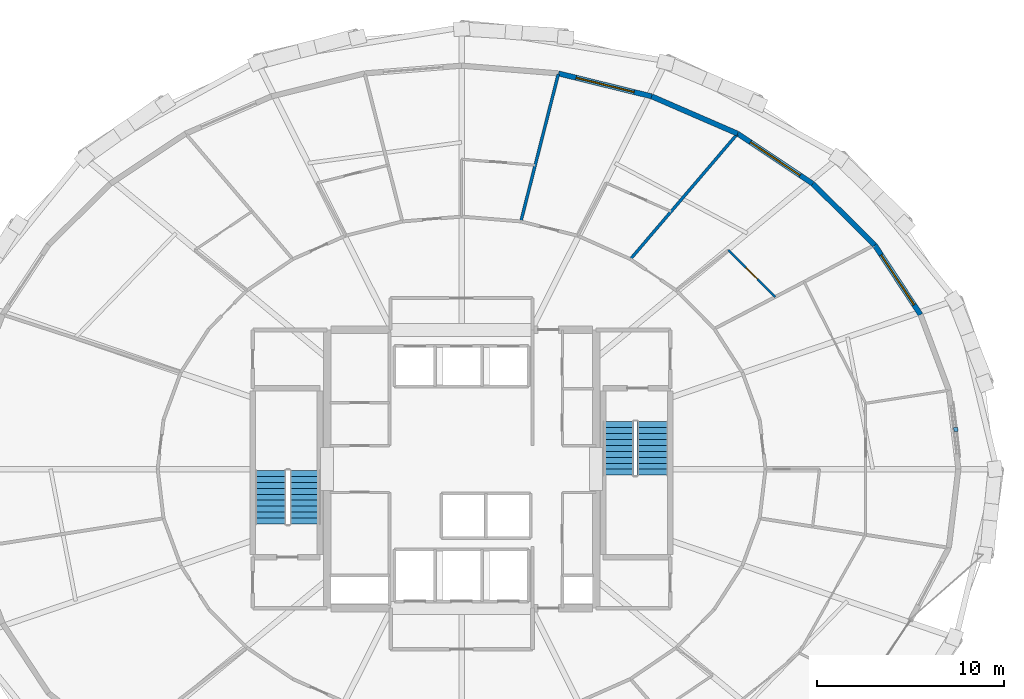
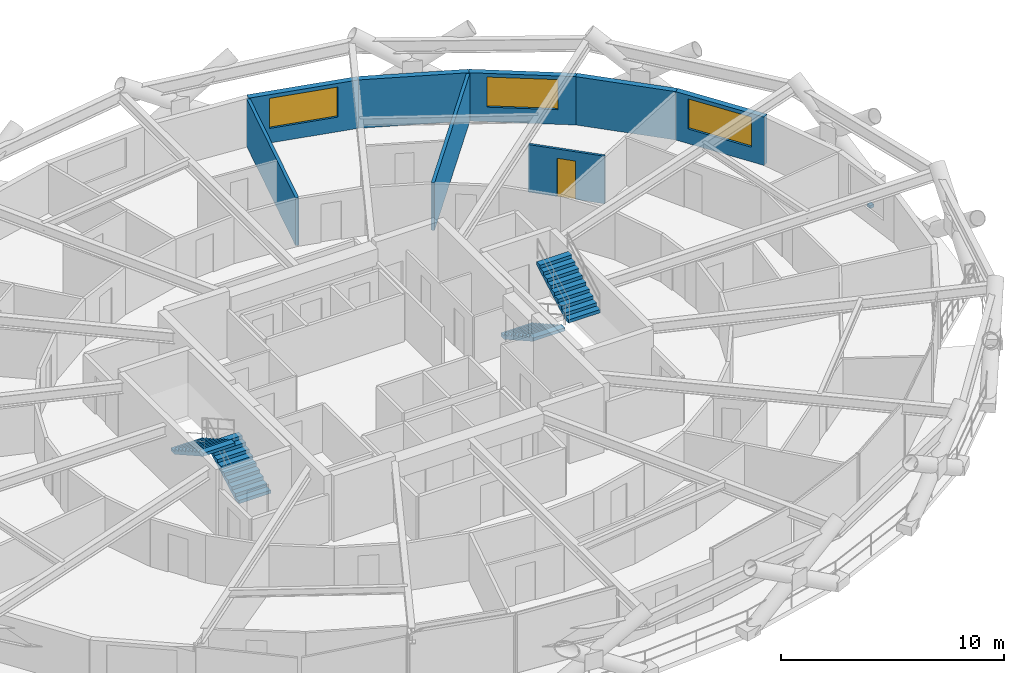
# One storey, part 15 of 17: 8 walls, 4 stair flights, 3 windows, 1 discrete accessory, 1 door, 4 openings, 2 elements without a shape of their own.
"""IFC4 building model written with IfcOpenShell, lengths in metres."""

from ifc_helpers import new_model, si_unit, direction, frame, frame_2d, origin, origin_2d, place, context, subcontext, project, spatial, polyline, rectangle, outline, extrude, material, layer, layer_set, type_object, element, fill, aggregate, save


model = new_model("IFC4")

# Units and contexts
model_context = context("Model", 3, precision=1e-05, world=origin(), true_north=direction((0.0, 1.0)))
body_context = subcontext(model_context, "Body", "Model", "MODEL_VIEW")
ifc_project = project(units=[si_unit("LENGTHUNIT", "METRE"), si_unit("AREAUNIT", "SQUARE_METRE"), si_unit("VOLUMEUNIT", "CUBIC_METRE"), si_unit("PLANEANGLEUNIT", "RADIAN"), si_unit("MASSUNIT", "GRAM", prefix="KILO")], contexts=[model_context])

# Site, building, storey
site_placement = place(None, origin())
site = spatial("IfcSite", under=ifc_project, at=site_placement, CompositionType="ELEMENT")
building_placement = place(site_placement, origin())
building = spatial("IfcBuilding", under=site, at=building_placement, Name="Veldorina Hangang Commons", CompositionType="ELEMENT")
storey_placement = place(building_placement, frame((0.0, 0.0, 55.60009765625)))
storey = spatial("IfcBuildingStorey", under=building, at=storey_placement, Name="L13", CompositionType="ELEMENT", Elevation=55.60009765625)

# Wall, opening, window
ifc_material_1 = material(Name="Stone Roman Travertine", Category="masonry")
ifc_layer_1 = layer(ifc_material_1, 0.280029296875)
ifc_layer_set_1 = layer_set([ifc_layer_1], Name="Stone Roman Travertine")
wall_type_1 = type_object("IfcWallType", Name="EW-TRAV-280", PredefinedType="STANDARD", material=ifc_layer_set_1)
wall_1_placement = place(storey_placement, frame((56.57568359375, 32.26611328125, 0.0), z_axis=(0.0, 0.0, 1.0), x_axis=(-0.549775955505, 0.835312156471, 0.0)))
wall_1 = element("IfcWall", 1, at=wall_1_placement, inside=storey, type_object=wall_type_1, Name="L13 travertine facade wall 02", PredefinedType="STANDARD", context=body_context, shape_type="SweptSolid", body=[
    extrude(rectangle(XDim=4.470947265625, YDim=0.280029296875, at=frame_2d((2.2353515625, 0.0))), origin(), (0.0, 0.0, 1.0), 2.64990234375),
])
opening_1_placement = place(wall_1_placement, frame((0.635498046875, 0.0, 0.800048828125)))
opening_1 = element("IfcOpeningElement", 2, at=opening_1_placement, cuts=wall_1, Name="Opening W-01", PredefinedType="OPENING", context=body_context, shape_type="SweptSolid", body=[
    extrude(rectangle(XDim=3.199951171875, YDim=1.64990234375, at=frame_2d((1.60009765625, 0.824951171875))), frame((0.0, 0.14990234375, 0.0), z_axis=(0.0, -1.0, 0.0), x_axis=(1.0, 0.0, 0.0)), (0.0, 0.0, 1.0), 0.300048828125),
])
ifc_material_2 = material(Name="Glass Low-E Triple IGU", Category="glass")
window_type = type_object("IfcWindowType", Name="WIN-TWR-3200", PartitioningType="SINGLE_PANEL", PredefinedType="WINDOW", material=ifc_material_2)
window_1_placement = place(opening_1_placement, origin())
window_1 = element("IfcWindow", 3, at=window_1_placement, inside=storey, type_object=window_type, Name="L13 facade window 02", OverallHeight=1.64990234375, OverallWidth=3.199951171875, PartitioningType="SINGLE_PANEL", PredefinedType="WINDOW", context=body_context, shape_type="SweptSolid", body=[
    extrude(rectangle(XDim=3.199951171875, YDim=1.64990234375, at=frame_2d((1.60009765625, 0.824951171875))), frame((0.0, 0.030029296875, 0.0), z_axis=(0.0, -1.0, 0.0), x_axis=(1.0, 0.0, 0.0)), (0.0, 0.0, 1.0), 0.06005859375),
])
fill(opening_1, window_1)

# Wall
wall_2_placement = place(storey_placement, frame((54.11767578125, 36.000732421875, 0.0), z_axis=(0.0, 0.0, 1.0), x_axis=(-0.710847800391, 0.703345864195, 0.0)))
element("IfcWall", 4, at=wall_2_placement, inside=storey, type_object=wall_type_1, Name="L13 travertine facade wall 03", PredefinedType="STANDARD", context=body_context, shape_type="SweptSolid", body=[
    extrude(rectangle(XDim=4.65380859375, YDim=0.280029296875, at=frame_2d((2.326904296875, 0.0))), origin(), (0.0, 0.0, 1.0), 2.64990234375),
])

# Wall, opening, window
wall_3_placement = place(storey_placement, frame((50.8095703125, 39.27392578125, 0.0), z_axis=(0.0, 0.0, 1.0), x_axis=(-0.832151080198, 0.55454898767, 0.0)))
wall_3 = element("IfcWall", 5, at=wall_3_placement, inside=storey, type_object=wall_type_1, Name="L13 travertine facade wall 04", PredefinedType="STANDARD", context=body_context, shape_type="SweptSolid", body=[
    extrude(rectangle(XDim=4.843994140625, YDim=0.280029296875, at=frame_2d((2.421875, 0.0))), origin(), (0.0, 0.0, 1.0), 2.64990234375),
])
opening_2_placement = place(wall_3_placement, frame((0.822021484375, 0.0, 0.800048828125)))
opening_2 = element("IfcOpeningElement", 6, at=opening_2_placement, cuts=wall_3, Name="Opening W-01", PredefinedType="OPENING", context=body_context, shape_type="SweptSolid", body=[
    extrude(rectangle(XDim=3.199951171875, YDim=1.64990234375, at=frame_2d((1.60009765625, 0.824951171875))), frame((0.0, 0.14990234375, 0.0), z_axis=(0.0, -1.0, 0.0), x_axis=(1.0, 0.0, 0.0)), (0.0, 0.0, 1.0), 0.300048828125),
])
window_2_placement = place(opening_2_placement, origin())
window_2 = element("IfcWindow", 7, at=window_2_placement, inside=storey, type_object=window_type, Name="L13 facade window 04", OverallHeight=1.64990234375, OverallWidth=3.199951171875, PartitioningType="SINGLE_PANEL", PredefinedType="WINDOW", context=body_context, shape_type="SweptSolid", body=[
    extrude(rectangle(XDim=3.199951171875, YDim=1.64990234375, at=frame_2d((1.60009765625, 0.824951171875))), frame((0.0, 0.030029296875, 0.0), z_axis=(0.0, -1.0, 0.0), x_axis=(1.0, 0.0, 0.0)), (0.0, 0.0, 1.0), 0.06005859375),
])
fill(opening_2, window_2)

# Wall
wall_4_placement = place(storey_placement, frame((46.778564453125, 41.960205078125, 0.0), z_axis=(0.0, 0.0, 1.0), x_axis=(-0.917319172231, 0.398152654465, 0.0)))
element("IfcWall", 8, at=wall_4_placement, inside=storey, type_object=wall_type_1, Name="L13 travertine facade wall 05", PredefinedType="STANDARD", context=body_context, shape_type="SweptSolid", body=[
    extrude(rectangle(XDim=5.013427734375, YDim=0.280029296875, at=frame_2d((2.5068359375, 0.0))), origin(), (0.0, 0.0, 1.0), 2.64990234375),
])

# Wall, opening, window
wall_5_placement = place(storey_placement, frame((42.1796875, 43.956298828125, 0.0), z_axis=(0.0, 0.0, 1.0), x_axis=(-0.970975005179, 0.23918097608, 0.0)))
wall_5 = element("IfcWall", 9, at=wall_5_placement, inside=storey, type_object=wall_type_1, Name="L13 travertine facade wall 06", PredefinedType="STANDARD", context=body_context, shape_type="SweptSolid", body=[
    extrude(rectangle(XDim=5.139404296875, YDim=0.280029296875, at=frame_2d((2.56982421875, 0.0))), origin(), (0.0, 0.0, 1.0), 2.64990234375),
])
opening_3_placement = place(wall_5_placement, frame((0.969482421875, 0.0, 0.800048828125)))
opening_3 = element("IfcOpeningElement", 10, at=opening_3_placement, cuts=wall_5, Name="Opening W-01", PredefinedType="OPENING", context=body_context, shape_type="SweptSolid", body=[
    extrude(rectangle(XDim=3.199951171875, YDim=1.64990234375, at=frame_2d((1.60009765625, 0.824951171875))), frame((0.0, 0.14990234375, 0.0), z_axis=(0.0, -1.0, 0.0), x_axis=(1.0, 0.0, 0.0)), (0.0, 0.0, 1.0), 0.300048828125),
])
window_3_placement = place(opening_3_placement, origin())
window_3 = element("IfcWindow", 11, at=window_3_placement, inside=storey, type_object=window_type, Name="L13 facade window 06", OverallHeight=1.64990234375, OverallWidth=3.199951171875, PartitioningType="SINGLE_PANEL", PredefinedType="WINDOW", context=body_context, shape_type="SweptSolid", body=[
    extrude(rectangle(XDim=3.199951171875, YDim=1.64990234375, at=frame_2d((1.60009765625, 0.824951171875))), frame((0.0, 0.030029296875, 0.0), z_axis=(0.0, -1.0, 0.0), x_axis=(1.0, 0.0, 0.0)), (0.0, 0.0, 1.0), 0.06005859375),
])
fill(opening_3, window_3)

# Walls
ifc_material_3 = material(Name="Gypsum Fire-Rated Twin Stud Wall", Category="gypsum")
ifc_layer_2 = layer(ifc_material_3, 0.159912109375)
ifc_layer_set_2 = layer_set([ifc_layer_2], Name="Gypsum Fire-Rated Twin Stud Wall")
wall_type_2 = type_object("IfcWallType", Name="WL-FIRE-160", PredefinedType="SOLIDWALL", material=ifc_layer_set_2)
wall_6_placement = place(storey_placement, frame((41.041259765625, 35.23974609375, 0.0), z_axis=(0.0, 0.0, 1.0), x_axis=(0.649272964512, 0.760555466454, 0.0)))
element("IfcWall", 12, at=wall_6_placement, inside=storey, type_object=wall_type_2, Name="L13 Unit party wall 05 099", PredefinedType="SOLIDWALL", context=body_context, shape_type="SweptSolid", body=[
    extrude(rectangle(XDim=8.786376953125, YDim=0.159912109375, at=frame_2d((4.39306640625, 0.0))), origin(), (0.0, 0.0, 1.0), 2.60986328125),
])
wall_7_placement = place(storey_placement, frame((35.1748046875, 37.25830078125, 0.0), z_axis=(0.0, 0.0, 1.0), x_axis=(0.246321324304, 0.969188219694, 0.0)))
element("IfcWall", 13, at=wall_7_placement, inside=storey, type_object=wall_type_2, Name="L13 Unit party wall 07 102", PredefinedType="SOLIDWALL", context=body_context, shape_type="SweptSolid", body=[
    extrude(rectangle(XDim=8.12939453125, YDim=0.159912109375, at=frame_2d((4.064697265625, 0.0))), origin(), (0.0, 0.0, 1.0), 2.60986328125),
])

# Wall, opening, door
ifc_material_4 = material(Name="Gypsum Acoustic Stud Partition", Category="gypsum")
ifc_layer_3 = layer(ifc_material_4, 0.1201171875)
ifc_layer_set_3 = layer_set([ifc_layer_3], Name="Gypsum Acoustic Stud Partition")
wall_type_3 = type_object("IfcWallType", Name="WL-PART-120", PredefinedType="PARTITIONING", material=ifc_layer_set_3)
wall_8_placement = place(storey_placement, frame((48.794189453125, 33.216552734375, 0.0), z_axis=(0.0, 0.0, 1.0), x_axis=(-0.706831936487, 0.707381519099, 0.0)))
wall_8 = element("IfcWall", 14, at=wall_8_placement, inside=storey, type_object=wall_type_3, Name="L13 Studio 4 bath front wall 097", PredefinedType="PARTITIONING", context=body_context, shape_type="SweptSolid", body=[
    extrude(rectangle(XDim=3.553955078125, YDim=0.1201171875, at=frame_2d((1.77685546875, 0.0))), origin(), (0.0, 0.0, 1.0), 2.60986328125),
])
opening_4_placement = place(wall_8_placement, frame((1.346923828125, 0.0, 0.0)))
opening_4 = element("IfcOpeningElement", 15, at=opening_4_placement, cuts=wall_8, Name="Opening D-01", PredefinedType="OPENING", context=body_context, shape_type="SweptSolid", body=[
    extrude(rectangle(XDim=0.860107421875, YDim=2.10009765625, at=frame_2d((0.43017578125, 1.050048828125))), frame((0.0, 0.070068359375, 0.0), z_axis=(0.0, -1.0, 0.0), x_axis=(1.0, 0.0, 0.0)), (0.0, 0.0, 1.0), 0.14013671875),
])
ifc_material_5 = material(Name="Timber Moisture-Resistant Core", Category="wood")
door_type = type_object("IfcDoorType", Name="DR-WET-860", OperationType="SINGLE_SWING_LEFT", PredefinedType="DOOR", material=ifc_material_5)
door_placement = place(opening_4_placement, origin())
door = element("IfcDoor", 16, at=door_placement, inside=storey, type_object=door_type, Name="L13 Studio 4 bathroom door 029", OperationType="SINGLE_SWING_LEFT", OverallHeight=2.10009765625, OverallWidth=0.860107421875, PredefinedType="DOOR", context=body_context, shape_type="SweptSolid", body=[
    extrude(rectangle(XDim=0.860107421875, YDim=2.10009765625, at=frame_2d((0.43017578125, 1.050048828125))), frame((0.0, 0.02490234375, 0.0), z_axis=(0.0, -1.0, 0.0), x_axis=(1.0, 0.0, 0.0)), (0.0, 0.0, 1.0), 0.050048828125),
])
fill(opening_4, door)

# Stair, stair flights
ifc_material_6 = material(Name="Concrete C40/50", Category="concrete")
stair_type = type_object("IfcStairType", Name="STR-DOG-1650-20R", PredefinedType="HALF_TURN_STAIR", material=ifc_material_6)
stair_1_placement = place(storey_placement, origin())
stair_1 = element("IfcStair", 17, at=stair_1_placement, inside=storey, type_object=stair_type, Name="L13 Exit stair ST-1", PredefinedType="HALF_TURN_STAIR")
stair_flight_type = type_object("IfcStairFlightType", Name="SFL-STR-1650-20R", PredefinedType="STRAIGHT", material=ifc_material_6)
stair_flight_1_placement = place(storey_placement, frame((23.625, 21.050048828125, 0.0), z_axis=(0.0, 0.0, 1.0), x_axis=(0.0, 1.0, 0.0)))
stair_flight_1 = element("IfcStairFlight", 18, at=stair_flight_1_placement, type_object=stair_flight_type, Name="ST-1 flight 1", NumberOfRisers=10, NumberOfTreads=9, PredefinedType="STRAIGHT", RiserHeight=0.18, TreadLength=0.32, context=body_context, shape_type="SweptSolid", body=[
    extrude(outline(polyline([(0.0, 0.0), (0.0, 0.179931640625), (0.320068359375, 0.179931640625), (0.320068359375, 0.360107421875), (0.639892578125, 0.360107421875), (0.639892578125, 0.5400390625), (0.9599609375, 0.5400390625), (0.9599609375, 0.719970703125), (1.280029296875, 0.719970703125), (1.280029296875, 0.89990234375), (1.60009765625, 0.89990234375), (1.60009765625, 1.080078125), (1.919921875, 1.080078125), (1.919921875, 1.260009765625), (2.239990234375, 1.260009765625), (2.239990234375, 1.43994140625), (2.56005859375, 1.43994140625), (2.56005859375, 1.6201171875), (2.8798828125, 1.6201171875), (2.8798828125, 1.800048828125), (2.8798828125, 1.447998046875), (0.3056640625, 0.0), (0.0, 0.0)])), frame((0.0, 0.824951171875, 0.0), z_axis=(0.0, -1.0, 0.0), x_axis=(1.0, 0.0, 0.0)), (0.0, 0.0, 1.0), 1.64990234375),
])
stair_flight_2_placement = place(storey_placement, frame((21.77490234375, 23.929931640625, 1.7998046875), z_axis=(0.0, 0.0, 1.0), x_axis=(0.0, -1.0, 0.0)))
stair_flight_2 = element("IfcStairFlight", 19, at=stair_flight_2_placement, type_object=stair_flight_type, Name="ST-1 flight 2", NumberOfRisers=10, NumberOfTreads=9, PredefinedType="STRAIGHT", RiserHeight=0.18, TreadLength=0.32, context=body_context, shape_type="SweptSolid", body=[
    extrude(outline(polyline([(0.0, 0.0), (0.0, 0.179931640625), (0.320068359375, 0.179931640625), (0.320068359375, 0.360107421875), (0.639892578125, 0.360107421875), (0.639892578125, 0.5400390625), (0.9599609375, 0.5400390625), (0.9599609375, 0.719970703125), (1.280029296875, 0.719970703125), (1.280029296875, 0.89990234375), (1.60009765625, 0.89990234375), (1.60009765625, 1.080078125), (1.919921875, 1.080078125), (1.919921875, 1.260009765625), (2.239990234375, 1.260009765625), (2.239990234375, 1.43994140625), (2.56005859375, 1.43994140625), (2.56005859375, 1.6201171875), (2.8798828125, 1.6201171875), (2.8798828125, 1.800048828125), (2.8798828125, 1.447998046875), (0.3056640625, 0.0), (0.0, 0.0)])), frame((0.0, 0.824951171875, 0.0), z_axis=(0.0, -1.0, 0.0), x_axis=(1.0, 0.0, 0.0)), (0.0, 0.0, 1.0), 1.64990234375),
])
aggregate(stair_1, [stair_flight_1, stair_flight_2])

stair_2_placement = place(storey_placement, origin())
stair_2 = element("IfcStair", 20, at=stair_2_placement, inside=storey, type_object=stair_type, Name="L13 Exit stair ST-2", PredefinedType="HALF_TURN_STAIR")
stair_flight_3_placement = place(storey_placement, frame((40.375, 26.550048828125, 0.0), z_axis=(0.0, 0.0, 1.0), x_axis=(0.0, -1.0, 0.0)))
stair_flight_3 = element("IfcStairFlight", 21, at=stair_flight_3_placement, type_object=stair_flight_type, Name="ST-2 flight 1", NumberOfRisers=10, NumberOfTreads=9, PredefinedType="STRAIGHT", RiserHeight=0.18, TreadLength=0.32, context=body_context, shape_type="SweptSolid", body=[
    extrude(outline(polyline([(0.0, 0.0), (0.0, 0.179931640625), (0.320068359375, 0.179931640625), (0.320068359375, 0.360107421875), (0.639892578125, 0.360107421875), (0.639892578125, 0.5400390625), (0.9599609375, 0.5400390625), (0.9599609375, 0.719970703125), (1.280029296875, 0.719970703125), (1.280029296875, 0.89990234375), (1.60009765625, 0.89990234375), (1.60009765625, 1.080078125), (1.919921875, 1.080078125), (1.919921875, 1.260009765625), (2.239990234375, 1.260009765625), (2.239990234375, 1.43994140625), (2.56005859375, 1.43994140625), (2.56005859375, 1.6201171875), (2.8798828125, 1.6201171875), (2.8798828125, 1.800048828125), (2.8798828125, 1.447998046875), (0.3056640625, 0.0), (0.0, 0.0)])), frame((0.0, 0.824951171875, 0.0), z_axis=(0.0, -1.0, 0.0), x_axis=(1.0, 0.0, 0.0)), (0.0, 0.0, 1.0), 1.64990234375),
])
stair_flight_4_placement = place(storey_placement, frame((42.22509765625, 23.669921875, 1.7998046875), z_axis=(0.0, 0.0, 1.0), x_axis=(0.0, 1.0, 0.0)))
stair_flight_4 = element("IfcStairFlight", 22, at=stair_flight_4_placement, type_object=stair_flight_type, Name="ST-2 flight 2", NumberOfRisers=10, NumberOfTreads=9, PredefinedType="STRAIGHT", RiserHeight=0.18, TreadLength=0.32, context=body_context, shape_type="SweptSolid", body=[
    extrude(outline(polyline([(0.0, 0.0), (0.0, 0.179931640625), (0.320068359375, 0.179931640625), (0.320068359375, 0.360107421875), (0.639892578125, 0.360107421875), (0.639892578125, 0.5400390625), (0.9599609375, 0.5400390625), (0.9599609375, 0.719970703125), (1.280029296875, 0.719970703125), (1.280029296875, 0.89990234375), (1.60009765625, 0.89990234375), (1.60009765625, 1.080078125), (1.919921875, 1.080078125), (1.919921875, 1.260009765625), (2.239990234375, 1.260009765625), (2.239990234375, 1.43994140625), (2.56005859375, 1.43994140625), (2.56005859375, 1.6201171875), (2.8798828125, 1.6201171875), (2.8798828125, 1.800048828125), (2.8798828125, 1.447998046875), (0.3056640625, 0.0), (0.0, 0.0)])), frame((0.0, 0.824951171875, 0.0), z_axis=(0.0, -1.0, 0.0), x_axis=(1.0, 0.0, 0.0)), (0.0, 0.0, 1.0), 1.64990234375),
])
aggregate(stair_2, [stair_flight_3, stair_flight_4])

# Discrete accessory
ifc_material_7 = material(Name="Stainless Steel Brushed 316", Category="steel")
discrete_accessory_type = type_object("IfcDiscreteAccessoryType", Name="BRK-SCR-SS", PredefinedType="BRACKET", material=ifc_material_7)
discrete_accessory_placement = place(storey_placement, frame((58.46435546875, 26.12158203125, 0.7197265625), z_axis=(0.0, 0.0, 1.0), x_axis=(-0.120396737979, 0.992725856158, 0.0)))
element("IfcDiscreteAccessory", 23, at=discrete_accessory_placement, inside=storey, type_object=discrete_accessory_type, Name="L13 solar screen support bracket 00", PredefinedType="BRACKET", context=body_context, shape_type="SweptSolid", body=[
    extrude(rectangle(XDim=0.219970703125, YDim=0.219970703125, at=origin_2d()), origin(), (0.0, 0.0, 1.0), 0.159912109375),
])

save(model, "model.ifc")
